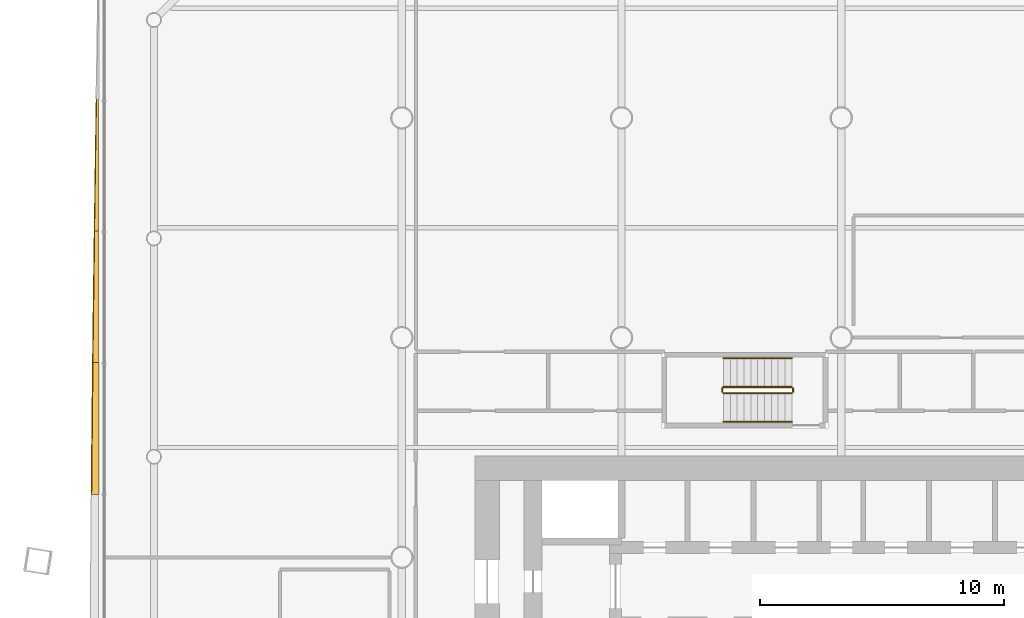
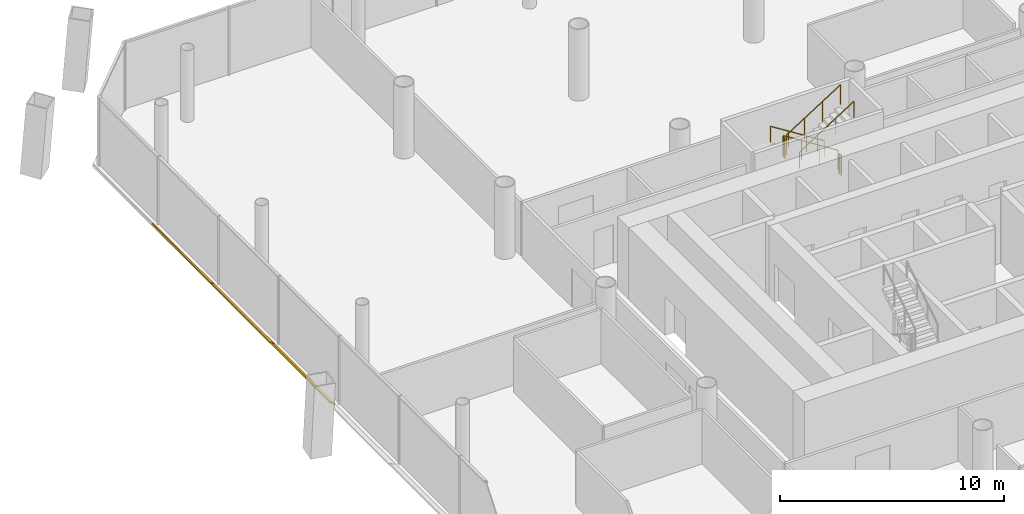
# One storey, part 21 of 22: 6 railings, 3 shading devices.
"""IFC4 building model written with IfcOpenShell, lengths in metres."""

import ifcopenshell
import ifcopenshell.guid

model = None  # the IFC model being written
_history = None  # IfcOwnerHistory: only IFC2X3 demands one
_inside = {}  # id of a spatial element -> (the spatial element, [elements in it])
_under = {}  # id of a project, library or spatial element -> (it, [spatial elements below it])
_declared = {}  # id of a project -> (the project, [libraries it declares])
_typed = {}  # id of a type object -> (the type object, [elements of that type])
_made_of = {}  # id of a material, layer set ... -> (it, [elements and type objects made of it])


def new_model(schema):
    """Start an empty IFC model of exactly this schema.

    Asked for "IFC4X3", IfcOpenShell would pick the latest addendum, in which some entities
    have other attributes; the version numbers below select the first issue.
    IFC2X3 requires an IfcOwnerHistory on every rooted entity: one is made here for all.
    """
    global model, _history
    if schema == "IFC4X3":
        model = ifcopenshell.file(schema_version=(4, 3, 0, 0))
    else:
        model = ifcopenshell.file(schema=schema)
    _inside.clear()
    _under.clear()
    _declared.clear()
    _typed.clear()
    _made_of.clear()
    _history = None
    if model.schema == "IFC2X3":
        org = make("IfcOrganization", Name="unknown")
        user = make(
            "IfcPersonAndOrganization",
            ThePerson=make("IfcPerson", FamilyName="unknown"),
            TheOrganization=org,
        )
        app = make(
            "IfcApplication",
            ApplicationDeveloper=org,
            Version="unknown",
            ApplicationFullName="unknown",
            ApplicationIdentifier="unknown",
        )
        _history = make(
            "IfcOwnerHistory",
            OwningUser=user,
            OwningApplication=app,
            ChangeAction="ADDED",
            CreationDate=0,
        )
    return model


def make(cls, **values):
    """One entity of the class cls with the attributes given. An attribute that is None is left unset."""
    return model.create_entity(
        cls, **{name: value for name, value in values.items() if value is not None}
    )


def rooted(cls, **values):
    """An entity with a GlobalId (a new one), such as an element, a storey or a relation."""
    return make(cls, GlobalId=ifcopenshell.guid.new(), OwnerHistory=_history, **values)


def si_unit(unit_type, name, prefix=None):
    """IfcSIUnit, for example si_unit("LENGTHUNIT", "METRE", prefix="MILLI")."""
    return make("IfcSIUnit", UnitType=unit_type, Prefix=prefix, Name=name)


def assignment(units):
    """IfcUnitAssignment: the units of a project."""
    return None if units is None else make("IfcUnitAssignment", Units=units)


def point(xyz):
    """IfcCartesianPoint."""
    return None if xyz is None else make("IfcCartesianPoint", Coordinates=xyz)


def direction(xyz):
    """IfcDirection."""
    return None if xyz is None else make("IfcDirection", DirectionRatios=xyz)


def frame(location, z_axis=None, x_axis=None):
    """IfcAxis2Placement3D, a coordinate frame: its origin and axes. An axis left out is left unset."""
    return make(
        "IfcAxis2Placement3D",
        Location=point(location),
        Axis=direction(z_axis),
        RefDirection=direction(x_axis),
    )


def frame_2d(location, x_axis=None):
    """IfcAxis2Placement2D, a coordinate frame in the plane: its origin and x axis."""
    return make(
        "IfcAxis2Placement2D", Location=point(location), RefDirection=direction(x_axis)
    )


def origin():
    """The frame at (0, 0, 0) with its axes left unset."""
    return frame((0.0, 0.0, 0.0))


def origin_2d():
    """The frame at (0, 0) in the plane with its x axis left unset."""
    return frame_2d((0.0, 0.0))


def place(relative_to, where):
    """IfcLocalPlacement: puts the frame where relative to a parent placement (None: the world)."""
    return make(
        "IfcLocalPlacement", PlacementRelTo=relative_to, RelativePlacement=where
    )


def context(
    kind, dimensions, precision=None, world=None, true_north=None, identifier=None
):
    """IfcGeometricRepresentationContext, for example the 3D "Model" context."""
    return make(
        "IfcGeometricRepresentationContext",
        ContextIdentifier=identifier,
        ContextType=kind,
        CoordinateSpaceDimension=dimensions,
        Precision=precision,
        WorldCoordinateSystem=world,
        TrueNorth=true_north,
    )


def subcontext(parent, identifier, kind, view, scale=None):
    """IfcGeometricRepresentationSubContext, for example "Body" below "Model"."""
    return make(
        "IfcGeometricRepresentationSubContext",
        ContextIdentifier=identifier,
        ContextType=kind,
        ParentContext=parent,
        TargetScale=scale,
        TargetView=view,
    )


def project(units=None, contexts=None):
    """IfcProject with its units and contexts."""
    return rooted(
        "IfcProject",
        Name="project",
        RepresentationContexts=contexts,
        UnitsInContext=assignment(units),
    )


def spatial(cls, under=None, at=None, **own):
    """A site, building, storey or space (cls), placed at a placement, below another one or the project."""
    s = rooted(cls, ObjectPlacement=at, **own)
    if under is not None:
        _under.setdefault(under.id(), (under, []))[1].append(s)
    return s


def polyline(points):
    """IfcPolyline through the points."""
    return make("IfcPolyline", Points=[point(p) for p in points])


def profile(cls, at=None, kind="AREA", **sizes):
    """A parametric profile (cls). Its sizes go by their IFC names, for example OverallWidth=200.0."""
    return make(cls, ProfileType=kind, Position=at, **sizes)


def circle(**sizes):
    """IfcCircleProfileDef."""
    return profile("IfcCircleProfileDef", **sizes)


def outline(outer, holes=None, kind="AREA"):
    """IfcArbitraryClosedProfileDef: a profile drawn as a closed curve; with holes, ...WithVoids."""
    if holes is None:
        return make("IfcArbitraryClosedProfileDef", ProfileType=kind, OuterCurve=outer)
    return make(
        "IfcArbitraryProfileDefWithVoids",
        ProfileType=kind,
        OuterCurve=outer,
        InnerCurves=holes,
    )


def extrude(swept, where, along, depth):
    """IfcExtrudedAreaSolid: the profile swept, set in the frame where, extruded along a direction by depth."""
    return make(
        "IfcExtrudedAreaSolid",
        SweptArea=swept,
        Position=where,
        ExtrudedDirection=direction(along),
        Depth=depth,
    )


def shape(context_of_items, identifier, shape_type, items):
    """IfcShapeRepresentation: the items that make up one representation, for example the "Body"."""
    return make(
        "IfcShapeRepresentation",
        ContextOfItems=context_of_items,
        RepresentationIdentifier=identifier,
        RepresentationType=shape_type,
        Items=items,
    )


def material(Name=None, Category=None):
    """IfcMaterial."""
    return make("IfcMaterial", Name=Name, Category=Category)


def layer(
    of_material, thickness, ventilated=None, Name=None, Category=None, Priority=None
):
    """IfcMaterialLayer: one layer of a wall or slab, of a material (None: an air gap)."""
    return make(
        "IfcMaterialLayer",
        Material=of_material,
        LayerThickness=thickness,
        IsVentilated=ventilated,
        Name=Name,
        Category=Category,
        Priority=Priority,
    )


def layer_set(layers, Name=None):
    """IfcMaterialLayerSet."""
    return make("IfcMaterialLayerSet", MaterialLayers=layers, LayerSetName=Name)


def made_of(thing, what):
    """Note that an element or type object is made of a material, layer set ...; save() writes the relation."""
    if what is not None:
        _made_of.setdefault(what.id(), (what, []))[1].append(thing)
    return thing


def type_object(cls, material=None, **own):
    """A type object (cls), such as IfcWallType, which elements share."""
    return made_of(rooted(cls, **own), material)


def element(
    cls,
    number,
    at=None,
    inside=None,
    cuts=None,
    type_object=None,
    material=None,
    context=None,
    identifier="Body",
    shape_type=None,
    held_by="IfcProductDefinitionShape",
    body=None,
    shapes=None,
    **own,
):
    """One element of the class cls, such as IfcWall. Its Tag is "e" and its number.

    at: its placement. inside: the storey or other place that contains it. cuts: it is an
    opening in that element (IfcRelVoidsElement). A single representation is given by context,
    identifier, shape_type and body (its items); several are given by shapes. held_by: the class
    of the entity that holds the representations. save() writes the other relations.
    """
    e = rooted(cls, Tag="e%d" % number, ObjectPlacement=at, **own)
    if body is not None:
        shapes = [shape(context, identifier, shape_type, body)]
    if shapes is not None:
        e.Representation = make(held_by, Representations=shapes)
    if inside is not None:
        _inside.setdefault(inside.id(), (inside, []))[1].append(e)
    if cuts is not None:
        rooted(
            "IfcRelVoidsElement", RelatingBuildingElement=cuts, RelatedOpeningElement=e
        )
    if type_object is not None:
        _typed.setdefault(type_object.id(), (type_object, []))[1].append(e)
    return made_of(e, material)


def aggregate(whole, parts):
    """IfcRelAggregates: a whole, such as a stair, and the parts it consists of."""
    return rooted("IfcRelAggregates", RelatingObject=whole, RelatedObjects=parts)


def save(model, path):
    """Write the relations noted so far, then the file.

    IfcRelAggregates (storeys below a building ...), IfcRelContainedInSpatialStructure (elements
    in a storey), IfcRelDefinesByType, IfcRelAssociatesMaterial and IfcRelDeclares: one each for
    every whole, place, type object, material and project.
    """
    for whole, parts in _under.values():
        aggregate(whole, parts)
    for where, things in _inside.values():
        rooted(
            "IfcRelContainedInSpatialStructure",
            RelatedElements=things,
            RelatingStructure=where,
        )
    for kind, things in _typed.values():
        rooted("IfcRelDefinesByType", RelatedObjects=things, RelatingType=kind)
    for what, things in _made_of.values():
        rooted("IfcRelAssociatesMaterial", RelatedObjects=things, RelatingMaterial=what)
    for by, libraries in _declared.values():
        rooted("IfcRelDeclares", RelatingContext=by, RelatedDefinitions=libraries)
    model.write(path)


model = new_model("IFC4")

# Units and contexts
model_context = context("Model", 3, precision=1e-05, world=origin(), true_north=direction((0.0, 1.0)))
body_context = subcontext(model_context, "Body", "Model", "MODEL_VIEW")
ifc_project = project(units=[si_unit("LENGTHUNIT", "METRE"), si_unit("AREAUNIT", "SQUARE_METRE"), si_unit("VOLUMEUNIT", "CUBIC_METRE"), si_unit("PLANEANGLEUNIT", "RADIAN"), si_unit("MASSUNIT", "GRAM", prefix="KILO")], contexts=[model_context])

# Site, building, storey
site_placement = place(None, origin())
site = spatial("IfcSite", under=ifc_project, at=site_placement, CompositionType="ELEMENT")
building_placement = place(site_placement, origin())
building = spatial("IfcBuilding", under=site, at=building_placement, Name="Tskaro Facet Tower", CompositionType="ELEMENT")
storey_placement = place(building_placement, frame((0.0, 0.0, 30.300048828125)))
storey = spatial("IfcBuildingStorey", under=building, at=storey_placement, Name="L06", CompositionType="ELEMENT", Elevation=30.300048828125)

# Shading devices
ifc_material_1 = material(Name="Bronze anodised aluminium 6063-T6", Category="aluminium")
ifc_layer = layer(ifc_material_1, 0.06005859375, Name="Bronze anodised aluminium 6063-T6")
ifc_layer_set = layer_set([ifc_layer], Name="Bronze anodised aluminium 6063-T6")
shading_device_type = type_object("IfcShadingDeviceType", Name="Bronze sun blade (FN1)", PredefinedType="USERDEFINED", material=ifc_layer_set)
shading_device_1_placement = place(storey_placement, frame((-30.422119140625, 18.772216796875, 0.052001953125), z_axis=(0.499819391992, 1.3635108e-05, 0.866129652652), x_axis=(6.815092e-06, -0.999999999907, 1.1809772e-05)))
element("IfcShadingDevice", 1, at=shading_device_1_placement, inside=storey, type_object=shading_device_type, Name="Fin blade west 2", ObjectType="FIN", PredefinedType="USERDEFINED", context=body_context, shape_type="SweptSolid", body=[
    extrude(outline(polyline([(0.0, 0.0), (5.397460936998263, 0.0), (5.397460937926907, -0.19086893486007223), (4.722900389689765, -0.17981549187339071), (4.048095702491486, -0.16855059145196016), (3.3735351559181854, -0.1572856910305296), (2.6987304703837474, -0.14580933317435), (2.0239257819660645, -0.1342109490994109), (1.3493652329539543, -0.12227908137096326), (0.674560546200112, -0.1104692398612751), (-1.1481574173965201e-09, -0.0983259146980784), (0.0, 0.0)])), origin(), (0.0, 0.0, -1.0), 0.06005859375),
])
shading_device_2_placement = place(storey_placement, frame((-30.41748046875, 13.374755859375, 0.049072265625), z_axis=(0.573399940016, 5.944725e-06, 0.819275599999), x_axis=(3.408705e-06, -0.999999999982, 4.870368e-06)))
element("IfcShadingDevice", 2, at=shading_device_2_placement, inside=storey, type_object=shading_device_type, Name="Fin blade west 3", ObjectType="FIN", PredefinedType="USERDEFINED", context=body_context, shape_type="SweptSolid", body=[
    extrude(outline(polyline([(0.0, 0.0), (5.397705078029623, 0.0), (5.397705078754374, -0.28765119957788454), (4.723144530816691, -0.2776908252221512), (4.04833984427527, -0.2676704226291162), (3.37353515535574, -0.2573700395966153), (2.6989746099146665, -0.24680960986977812), (2.0241699214704885, -0.23596919970347505), (1.3496093744835098, -0.2249287710801373), (0.6748046877037384, -0.21368832399976498), (5.671155316349102e-10, -0.20210786824262506), (0.0, 0.0)])), origin(), (0.0, 0.0, -1.0), 0.06005859375),
])
shading_device_3_placement = place(storey_placement, frame((-30.413330078125, 7.97705078125, 0.0458984375), z_axis=(0.642717628585, 1.174482e-05, 0.766103158699), x_axis=(7.548603e-06, -0.999999999931, 8.997743e-06)))
element("IfcShadingDevice", 3, at=shading_device_3_placement, inside=storey, type_object=shading_device_type, Name="Fin blade west 4", ObjectType="FIN", PredefinedType="USERDEFINED", context=body_context, shape_type="SweptSolid", body=[
    extrude(outline(polyline([(0.0, 0.0), (5.397705077752718, -4.572034040733722e-21), (5.3977050780599045, -0.380205423498181), (4.7229003905484515, -0.3722343177437854), (4.048339843308186, -0.3639192616018456), (3.3735351572858603, -0.35541716855591377), (2.698974609338008, -0.34641421163888564), (2.0241699226080927, -0.3372242178178655), (1.349365233327669, -0.3275333601257491), (0.6748046865151488, -0.3176554655296405), (-1.2761486229459062e-09, -0.3074336205459879), (0.0, 0.0)])), origin(), (0.0, 0.0, -1.0), 0.06005859375),
])

# Railings
ifc_material_2 = material(Name="Stainless steel", Category="steel")
railing_type_1 = type_object("IfcRailingType", Name="RL-GUARD-1100", PredefinedType="GUARDRAIL", material=ifc_material_2)
railing_1_placement = place(storey_placement, frame((-2.02490234375, 6.97509765625, 0.17724609375)))
element("IfcRailing", 4, at=railing_1_placement, inside=storey, type_object=railing_type_1, Name="L06 ST-3 stair guard 1", PredefinedType="GUARDRAIL", context=body_context, shape_type="SweptSolid", body=[
    extrude(circle(Radius=0.02392578125, at=origin_2d()), frame((0.0, 0.0, 1.076171875), z_axis=(-0.844908973607, 0.0, 0.534910110503), x_axis=(0.0, -1.0, 0.0)), (0.0, 0.0, 1.0), 3.31396484375),
    extrude(circle(Radius=0.02099609375, at=origin_2d()), origin(), (0.0, 0.0, 1.0), 1.052001953125),
    extrude(circle(Radius=0.02099609375, at=origin_2d()), frame((-0.933349609375, 0.0, 0.5908203125)), (0.0, 0.0, 1.0), 1.052001953125),
    extrude(circle(Radius=0.02099609375, at=origin_2d()), frame((-1.86669921875, 0.0, 1.181884765625)), (0.0, 0.0, 1.0), 1.052001953125),
    extrude(circle(Radius=0.02099609375, at=origin_2d()), frame((-2.800048828125, 0.0, 1.772705078125)), (0.0, 0.0, 1.0), 1.052001953125),
])
railing_2_placement = place(storey_placement, frame((-4.875, 6.925048828125, 1.949951171875)))
element("IfcRailing", 5, at=railing_2_placement, inside=storey, type_object=railing_type_1, Name="L06 ST-3 stair guard 2", PredefinedType="GUARDRAIL", context=body_context, shape_type="SweptSolid", body=[
    extrude(circle(Radius=0.02392578125, at=origin_2d()), frame((0.0, 0.0, 1.076171875), z_axis=(0.0, -1.0, 0.0), x_axis=(1.0, 0.0, 0.0)), (0.0, 0.0, 1.0), 0.150146484375),
    extrude(circle(Radius=0.02099609375, at=origin_2d()), origin(), (0.0, 0.0, 1.0), 1.052001953125),
    extrude(circle(Radius=0.02099609375, at=origin_2d()), frame((0.0, -0.150146484375, 0.0)), (0.0, 0.0, 1.0), 1.052001953125),
])
railing_3_placement = place(storey_placement, frame((-4.824951171875, 6.72509765625, 2.127197265625)))
element("IfcRailing", 6, at=railing_3_placement, inside=storey, type_object=railing_type_1, Name="L06 ST-3 stair guard 3", PredefinedType="GUARDRAIL", context=body_context, shape_type="SweptSolid", body=[
    extrude(circle(Radius=0.02392578125, at=origin_2d()), frame((0.0, 0.0, 1.076171875), z_axis=(0.844908973607, 0.0, 0.534910110503), x_axis=(0.0, 1.0, 0.0)), (0.0, 0.0, 1.0), 3.31396484375),
    extrude(circle(Radius=0.02099609375, at=origin_2d()), origin(), (0.0, 0.0, 1.0), 1.052001953125),
    extrude(circle(Radius=0.02099609375, at=origin_2d()), frame((0.933349609375, 0.0, 0.5908203125)), (0.0, 0.0, 1.0), 1.052001953125),
    extrude(circle(Radius=0.02099609375, at=origin_2d()), frame((1.86669921875, 0.0, 1.181884765625)), (0.0, 0.0, 1.0), 1.052001953125),
    extrude(circle(Radius=0.02099609375, at=origin_2d()), frame((2.800048828125, 0.0, 1.772705078125)), (0.0, 0.0, 1.0), 1.052001953125),
])
railing_4_placement = place(storey_placement, frame((-1.97509765625, 6.925048828125, 0.0)))
element("IfcRailing", 7, at=railing_4_placement, inside=storey, type_object=railing_type_1, Name="L06 ST-3 stair guard 4", PredefinedType="GUARDRAIL", context=body_context, shape_type="SweptSolid", body=[
    extrude(circle(Radius=0.02392578125, at=origin_2d()), frame((0.0, 0.0, 1.076171875), z_axis=(0.0, -1.0, 0.0), x_axis=(1.0, 0.0, 0.0)), (0.0, 0.0, 1.0), 0.150146484375),
    extrude(circle(Radius=0.02099609375, at=origin_2d()), origin(), (0.0, 0.0, 1.0), 1.052001953125),
    extrude(circle(Radius=0.02099609375, at=origin_2d()), frame((0.0, -0.150146484375, 0.0)), (0.0, 0.0, 1.0), 1.052001953125),
])
railing_type_2 = type_object("IfcRailingType", Name="RL-HANDRAIL-900", PredefinedType="HANDRAIL", material=ifc_material_2)
railing_5_placement = place(storey_placement, frame((-2.02490234375, 8.14990234375, 0.17724609375)))
element("IfcRailing", 8, at=railing_5_placement, inside=storey, type_object=railing_type_2, Name="L06 ST-3 stair handrail 1", PredefinedType="HANDRAIL", context=body_context, shape_type="SweptSolid", body=[
    extrude(circle(Radius=0.02392578125, at=origin_2d()), frame((0.0, 0.0, 0.8759765625), z_axis=(-0.844908973607, 0.0, 0.534910110503), x_axis=(0.0, -1.0, 0.0)), (0.0, 0.0, 1.0), 3.31396484375),
    extrude(circle(Radius=0.02099609375, at=origin_2d()), origin(), (0.0, 0.0, 1.0), 0.851806640625),
    extrude(circle(Radius=0.02099609375, at=origin_2d()), frame((-0.933349609375, 0.0, 0.5908203125)), (0.0, 0.0, 1.0), 0.851806640625),
    extrude(circle(Radius=0.02099609375, at=origin_2d()), frame((-1.86669921875, 0.0, 1.181884765625)), (0.0, 0.0, 1.0), 0.851806640625),
    extrude(circle(Radius=0.02099609375, at=origin_2d()), frame((-2.800048828125, 0.0, 1.772705078125)), (0.0, 0.0, 1.0), 0.851806640625),
])
railing_6_placement = place(storey_placement, frame((-4.824951171875, 5.550048828125, 2.127197265625)))
element("IfcRailing", 9, at=railing_6_placement, inside=storey, type_object=railing_type_2, Name="L06 ST-3 stair handrail 2", PredefinedType="HANDRAIL", context=body_context, shape_type="SweptSolid", body=[
    extrude(circle(Radius=0.02392578125, at=origin_2d()), frame((0.0, 0.0, 0.8759765625), z_axis=(0.844908973607, 0.0, 0.534910110503), x_axis=(0.0, 1.0, 0.0)), (0.0, 0.0, 1.0), 3.31396484375),
    extrude(circle(Radius=0.02099609375, at=origin_2d()), origin(), (0.0, 0.0, 1.0), 0.851806640625),
    extrude(circle(Radius=0.02099609375, at=origin_2d()), frame((0.933349609375, 0.0, 0.5908203125)), (0.0, 0.0, 1.0), 0.851806640625),
    extrude(circle(Radius=0.02099609375, at=origin_2d()), frame((1.86669921875, 0.0, 1.181884765625)), (0.0, 0.0, 1.0), 0.851806640625),
    extrude(circle(Radius=0.02099609375, at=origin_2d()), frame((2.800048828125, 0.0, 1.772705078125)), (0.0, 0.0, 1.0), 0.851806640625),
])

save(model, "model.ifc")
